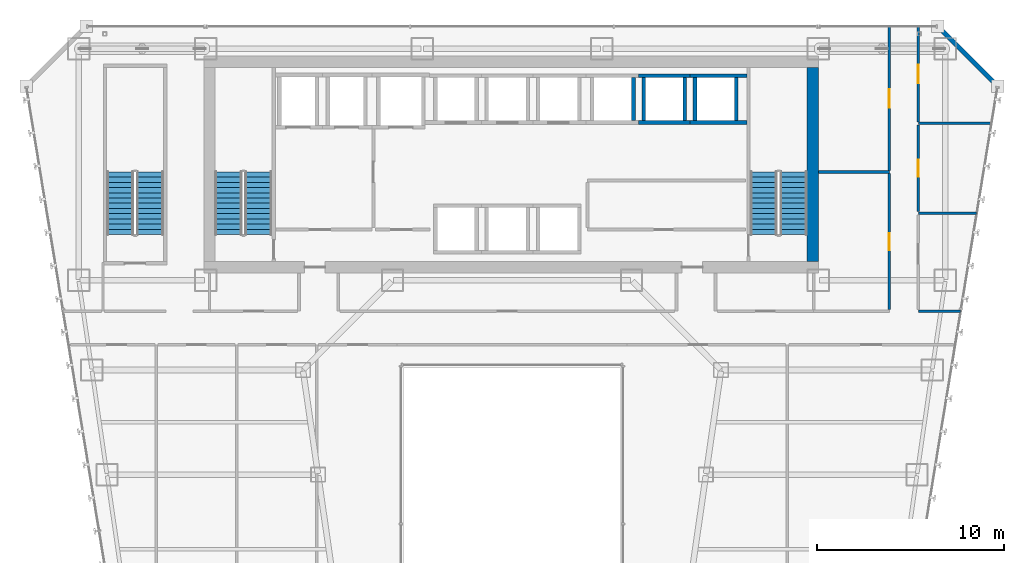
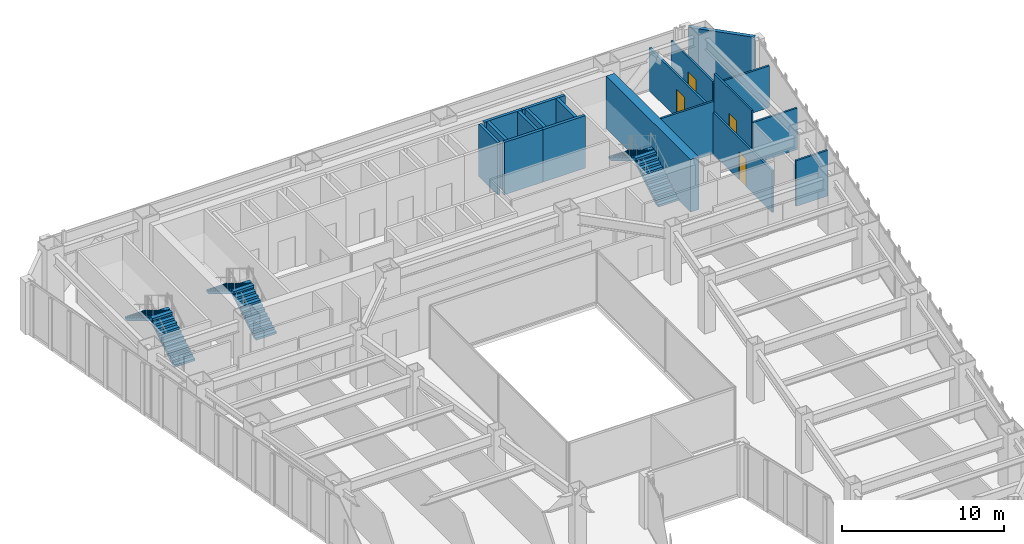
# One storey, part 38 of 47: 19 walls, 6 stair flights, 4 doors, 4 openings, 3 elements without a shape of their own.
"""IFC4 building model written with IfcOpenShell, lengths in metres."""

from ifc_helpers import new_model, si_unit, direction, frame, frame_2d, origin, place, context, subcontext, project, spatial, polyline, rectangle, outline, extrude, material, layer, layer_set, type_object, element, fill, aggregate, save


model = new_model("IFC4")

# Units and contexts
model_context = context("Model", 3, precision=1e-05, world=origin(), true_north=direction((0.0, 1.0)))
body_context = subcontext(model_context, "Body", "Model", "MODEL_VIEW")
ifc_project = project(units=[si_unit("LENGTHUNIT", "METRE"), si_unit("AREAUNIT", "SQUARE_METRE"), si_unit("VOLUMEUNIT", "CUBIC_METRE"), si_unit("PLANEANGLEUNIT", "RADIAN"), si_unit("MASSUNIT", "GRAM", prefix="KILO")], contexts=[model_context])

# Site, building, storey
site_placement = place(None, origin())
site = spatial("IfcSite", under=ifc_project, at=site_placement, CompositionType="ELEMENT")
building_placement = place(site_placement, origin())
building = spatial("IfcBuilding", under=site, at=building_placement, Name="Saevonmaru Cultural Tower", CompositionType="ELEMENT")
storey_placement = place(building_placement, frame((0.0, 0.0, 82.39990234375)))
storey = spatial("IfcBuildingStorey", under=building, at=storey_placement, Name="L17", CompositionType="ELEMENT", Elevation=82.39990234375)

# Walls
ifc_material_1 = material(Name="Concrete C60/75", Category="concrete")
ifc_layer_1 = layer(ifc_material_1, 0.60009765625, Name="Concrete C60/75")
ifc_layer_set_1 = layer_set([ifc_layer_1], Name="Concrete C60/75")
wall_type_1 = type_object("IfcWallType", Name="WL-CORE-600", PredefinedType="SHEAR", material=ifc_layer_set_1)
wall_1_placement = place(storey_placement, frame((46.10009765625, 43.39990234375, 0.0), z_axis=(0.0, 0.0, 1.0), x_axis=(0.0, 1.0, 0.0)))
element("IfcWall", 1, at=wall_1_placement, inside=storey, type_object=wall_type_1, Name="L17 Tower RC core shear wall E", PredefinedType="SHEAR", context=body_context, shape_type="SweptSolid", body=[
    extrude(rectangle(XDim=10.400146484375, YDim=0.60009765625, at=frame_2d((5.2001953125, 0.0))), origin(), (0.0, 0.0, 1.0), 3.9501953125),
])
ifc_material_2 = material(Name="Granite-Clad Precast Concrete C40/50", Category="masonry")
ifc_layer_2 = layer(ifc_material_2, 0.260009765625, Name="Granite-Clad Precast Concrete C40/50")
ifc_layer_set_2 = layer_set([ifc_layer_2], Name="Granite-Clad Precast Concrete C40/50")
wall_type_2 = type_object("IfcWallType", Name="WL-EXT-SPANDREL-260", PredefinedType="STANDARD", material=ifc_layer_set_2)
wall_2_placement = place(storey_placement, frame((55.886962890625, 52.9130859375, 0.0), z_axis=(0.0, 0.0, 1.0), x_axis=(-0.707106781187, 0.707106781187, 0.0)))
element("IfcWall", 2, at=wall_2_placement, inside=storey, type_object=wall_type_2, Name="L17 Chamfer Corner Spandrel Wall E9", PredefinedType="STANDARD", context=body_context, shape_type="SweptSolid", body=[
    extrude(rectangle(XDim=4.205810546875, YDim=0.260009765625, at=frame_2d((2.10302734375, 0.0))), origin(), (0.0, 0.0, 1.0), 3.9501953125),
])

# Wall, opening, door
ifc_material_3 = material(Name="Gypsum Fireboard Partition", Category="gypsum")
ifc_layer_3 = layer(ifc_material_3, 0.14990234375, Name="Gypsum Fireboard Partition")
ifc_layer_set_3 = layer_set([ifc_layer_3], Name="Gypsum Fireboard Partition")
wall_type_3 = type_object("IfcWallType", Name="WL-PART-FIRE-150", PredefinedType="PARTITIONING", material=ifc_layer_set_3)
wall_3_placement = place(storey_placement, frame((50.199951171875, 48.2900390625, 0.0), z_axis=(0.0, 0.0, 1.0), x_axis=(0.0, 1.0, 0.0)))
wall_3 = element("IfcWall", 3, at=wall_3_placement, inside=storey, type_object=wall_type_3, Name="L17 Chamber Rehearsal Auditorium Corridor Wall", PredefinedType="PARTITIONING", context=body_context, shape_type="SweptSolid", body=[
    extrude(rectangle(XDim=7.705078125, YDim=0.14990234375, at=frame_2d((3.8525390625, 0.0))), origin(), (0.0, 0.0, 1.0), 3.235107421875),
])
opening_1_placement = place(wall_3_placement, frame((3.35205078125, 0.0, 0.0)))
opening_1 = element("IfcOpeningElement", 4, at=opening_1_placement, cuts=wall_3, Name="Opening ID-1B", PredefinedType="OPENING", context=body_context, shape_type="SweptSolid", body=[
    extrude(rectangle(XDim=1.0, YDim=2.14990234375, at=frame_2d((0.5, 1.074951171875))), frame((0.0, 0.0849609375, 0.0), z_axis=(0.0, -1.0, 0.0), x_axis=(1.0, 0.0, 0.0)), (0.0, 0.0, 1.0), 0.169921875),
])
ifc_material_4 = material(Name="Acoustic Stained Oak Timber", Category="wood")
door_type_1 = type_object("IfcDoorType", Name="DR-INT-1000", OperationType="SINGLE_SWING_RIGHT", PredefinedType="DOOR", material=ifc_material_4)
door_1_placement = place(opening_1_placement, origin())
door_1 = element("IfcDoor", 5, at=door_1_placement, inside=storey, type_object=door_type_1, Name="L17 Chamber Rehearsal Auditorium Door", OperationType="SINGLE_SWING_LEFT", OverallHeight=2.14990234375, OverallWidth=1.0, PredefinedType="DOOR", context=body_context, shape_type="SweptSolid", body=[
    extrude(rectangle(XDim=1.0, YDim=2.14990234375, at=frame_2d((0.5, 1.074951171875))), frame((0.0, 0.02490234375, 0.0), z_axis=(0.0, -1.0, 0.0), x_axis=(1.0, 0.0, 0.0)), (0.0, 0.0, 1.0), 0.050048828125),
])
fill(opening_1, door_1)

ifc_layer_4 = layer(ifc_material_3, 0.1201171875, Name="Gypsum Fireboard Partition")
ifc_layer_set_4 = layer_set([ifc_layer_4], Name="Gypsum Fireboard Partition")
wall_type_4 = type_object("IfcWallType", Name="WL-PART-GYP-120", PredefinedType="PARTITIONING", material=ifc_layer_set_4)
wall_4_placement = place(storey_placement, frame((51.75, 46.08740234375, 0.0), z_axis=(0.0, 0.0, 1.0), x_axis=(0.0, 1.0, 0.0)))
wall_4 = element("IfcWall", 6, at=wall_4_placement, inside=storey, type_object=wall_type_4, Name="L17 Architecture Residency Office Corridor Wall", PredefinedType="PARTITIONING", context=body_context, shape_type="SweptSolid", body=[
    extrude(rectangle(XDim=4.625, YDim=0.1201171875, at=frame_2d((2.3125, 0.0))), origin(), (0.0, 0.0, 1.0), 3.9501953125),
])
opening_2_placement = place(wall_4_placement, frame((1.863037109375, 0.0, 0.0)))
opening_2 = element("IfcOpeningElement", 7, at=opening_2_placement, cuts=wall_4, Name="Opening ID-2", PredefinedType="OPENING", context=body_context, shape_type="SweptSolid", body=[
    extrude(rectangle(XDim=0.89990234375, YDim=2.10009765625, at=frame_2d((0.449951171875, 1.050048828125))), frame((0.0, 0.070068359375, 0.0), z_axis=(0.0, -1.0, 0.0), x_axis=(1.0, 0.0, 0.0)), (0.0, 0.0, 1.0), 0.14013671875),
])
door_type_2 = type_object("IfcDoorType", Name="DR-INT-900", OperationType="SINGLE_SWING_RIGHT", PredefinedType="DOOR", material=ifc_material_4)
door_2_placement = place(opening_2_placement, origin())
door_2 = element("IfcDoor", 8, at=door_2_placement, inside=storey, type_object=door_type_2, Name="L17 Architecture Residency Office Door", OperationType="SINGLE_SWING_LEFT", OverallHeight=2.10009765625, OverallWidth=0.89990234375, PredefinedType="DOOR", context=body_context, shape_type="SweptSolid", body=[
    extrude(rectangle(XDim=0.89990234375, YDim=2.10009765625, at=frame_2d((0.449951171875, 1.050048828125))), frame((0.0, 0.02490234375, 0.0), z_axis=(0.0, -1.0, 0.0), x_axis=(1.0, 0.0, 0.0)), (0.0, 0.0, 1.0), 0.050048828125),
])
fill(opening_2, door_2)

wall_5_placement = place(storey_placement, frame((51.75, 50.887451171875, 0.0), z_axis=(0.0, 0.0, 1.0), x_axis=(0.0, 1.0, 0.0)))
wall_5 = element("IfcWall", 9, at=wall_5_placement, inside=storey, type_object=wall_type_4, Name="L17 Botanical Tea Bistro Corridor Wall", PredefinedType="PARTITIONING", context=body_context, shape_type="SweptSolid", body=[
    extrude(rectangle(XDim=5.107666015625, YDim=0.1201171875, at=frame_2d((2.5537109375, 0.0))), origin(), (0.0, 0.0, 1.0), 3.235107421875),
])
opening_3_placement = place(wall_5_placement, frame((2.053955078125, 0.0, 0.0)))
opening_3 = element("IfcOpeningElement", 10, at=opening_3_placement, cuts=wall_5, Name="Opening ID-1B", PredefinedType="OPENING", context=body_context, shape_type="SweptSolid", body=[
    extrude(rectangle(XDim=1.0, YDim=2.14990234375, at=frame_2d((0.5, 1.074951171875))), frame((0.0, 0.070068359375, 0.0), z_axis=(0.0, -1.0, 0.0), x_axis=(1.0, 0.0, 0.0)), (0.0, 0.0, 1.0), 0.14013671875),
])
door_3_placement = place(opening_3_placement, origin())
door_3 = element("IfcDoor", 11, at=door_3_placement, inside=storey, type_object=door_type_1, Name="L17 Botanical Tea Bistro Door", OperationType="SINGLE_SWING_RIGHT", OverallHeight=2.14990234375, OverallWidth=1.0, PredefinedType="DOOR", context=body_context, shape_type="SweptSolid", body=[
    extrude(rectangle(XDim=1.0, YDim=2.14990234375, at=frame_2d((0.5, 1.074951171875))), frame((0.0, 0.02490234375, 0.0), z_axis=(0.0, -1.0, 0.0), x_axis=(1.0, 0.0, 0.0)), (0.0, 0.0, 1.0), 0.050048828125),
])
fill(opening_3, door_3)

# Walls
ifc_layer_5 = layer(ifc_material_3, 0.135009765625, Name="Gypsum Fireboard Partition")
ifc_layer_set_5 = layer_set([ifc_layer_5], Name="Gypsum Fireboard Partition")
wall_type_5 = type_object("IfcWallType", Name="WL-PART-GYP-135", PredefinedType="PARTITIONING", material=ifc_layer_set_5)
wall_6_placement = place(storey_placement, frame((51.75, 40.75, 0.0), z_axis=(0.0, 0.0, 1.0), x_axis=(1.0, 0.0, 0.0)))
element("IfcWall", 12, at=wall_6_placement, inside=storey, type_object=wall_type_5, Name="L17 NE Wing South Wall", PredefinedType="PARTITIONING", context=body_context, shape_type="SweptSolid", body=[
    extrude(rectangle(XDim=2.2705078125, YDim=0.135009765625, at=frame_2d((1.13525390625, 0.0))), origin(), (0.0, 0.0, 1.0), 3.43505859375),
])
wall_7_placement = place(storey_placement, frame((51.75, 46.0, 0.0), z_axis=(0.0, 0.0, 1.0), x_axis=(1.0, 0.0, 0.0)))
element("IfcWall", 13, at=wall_7_placement, inside=storey, type_object=wall_type_5, Name="L17 NE Studio Divider 1", PredefinedType="PARTITIONING", context=body_context, shape_type="SweptSolid", body=[
    extrude(rectangle(XDim=3.130615234375, YDim=0.135009765625, at=frame_2d((1.5654296875, 0.0))), origin(), (0.0, 0.0, 1.0), 3.135009765625),
])
wall_8_placement = place(storey_placement, frame((51.75, 50.800048828125, 0.0), z_axis=(0.0, 0.0, 1.0), x_axis=(1.0, 0.0, 0.0)))
element("IfcWall", 14, at=wall_8_placement, inside=storey, type_object=wall_type_5, Name="L17 NE Studio Divider 2", PredefinedType="PARTITIONING", context=body_context, shape_type="SweptSolid", body=[
    extrude(rectangle(XDim=3.917236328125, YDim=0.135009765625, at=frame_2d((1.95849609375, 0.0))), origin(), (0.0, 0.0, 1.0), 3.135009765625),
])
ifc_layer_6 = layer(ifc_material_3, 0.139892578125, Name="Gypsum Fireboard Partition")
ifc_layer_set_6 = layer_set([ifc_layer_6], Name="Gypsum Fireboard Partition")
wall_type_6 = type_object("IfcWallType", Name="WL-PART-WET-140", PredefinedType="PARTITIONING", material=ifc_layer_set_6)
wall_9_placement = place(storey_placement, frame((46.419921875, 48.199951171875, 0.0), z_axis=(0.0, 0.0, 1.0), x_axis=(1.0, 0.0, 0.0)))
element("IfcWall", 15, at=wall_9_placement, inside=storey, type_object=wall_type_6, Name="L17 Washroom North Wall", PredefinedType="PARTITIONING", context=body_context, shape_type="SweptSolid", body=[
    extrude(rectangle(XDim=3.780029296875, YDim=0.139892578125, at=frame_2d((1.89013671875, 0.0))), origin(), (0.0, 0.0, 1.0), 3.9501953125),
])

# Wall, opening, door
wall_10_placement = place(storey_placement, frame((50.199951171875, 40.840087890625, 0.0), z_axis=(0.0, 0.0, 1.0), x_axis=(0.0, 1.0, 0.0)))
wall_10 = element("IfcWall", 16, at=wall_10_placement, inside=storey, type_object=wall_type_6, Name="L17 Washroom Corridor Wall", PredefinedType="PARTITIONING", context=body_context, shape_type="SweptSolid", body=[
    extrude(rectangle(XDim=7.27001953125, YDim=0.139892578125, at=frame_2d((3.635009765625, 0.0))), origin(), (0.0, 0.0, 1.0), 3.135009765625),
])
opening_4_placement = place(wall_10_placement, frame((3.18505859375, 0.0, 0.0)))
opening_4 = element("IfcOpeningElement", 17, at=opening_4_placement, cuts=wall_10, Name="Opening ID-2", PredefinedType="OPENING", context=body_context, shape_type="SweptSolid", body=[
    extrude(rectangle(XDim=0.89990234375, YDim=2.10009765625, at=frame_2d((0.449951171875, 1.050048828125))), frame((0.0, 0.080078125, 0.0), z_axis=(0.0, -1.0, 0.0), x_axis=(1.0, 0.0, 0.0)), (0.0, 0.0, 1.0), 0.159912109375),
])
door_4_placement = place(opening_4_placement, origin())
door_4 = element("IfcDoor", 18, at=door_4_placement, inside=storey, type_object=door_type_2, Name="L17 Public Accessible Washrooms Door", OperationType="SINGLE_SWING_RIGHT", OverallHeight=2.10009765625, OverallWidth=0.89990234375, PredefinedType="DOOR", context=body_context, shape_type="SweptSolid", body=[
    extrude(rectangle(XDim=0.89990234375, YDim=2.10009765625, at=frame_2d((0.449951171875, 1.050048828125))), frame((0.0, 0.02490234375, 0.0), z_axis=(0.0, -1.0, 0.0), x_axis=(1.0, 0.0, 0.0)), (0.0, 0.0, 1.0), 0.050048828125),
])
fill(opening_4, door_4)

# Walls
ifc_material_5 = material(Name="Concrete C40/50", Category="concrete")
ifc_layer_7 = layer(ifc_material_5, 0.199951171875, Name="Concrete C40/50")
ifc_layer_set_7 = layer_set([ifc_layer_7], Name="Concrete C40/50")
wall_type_7 = type_object("IfcWallType", Name="WL-SHAFT-200", PredefinedType="SHEAR", material=ifc_layer_set_7)
wall_11_placement = place(storey_placement, frame((36.5, 50.949951171875, 0.0), z_axis=(0.0, 0.0, 1.0), x_axis=(0.0, 1.0, 0.0)))
element("IfcWall", 19, at=wall_11_placement, inside=storey, type_object=wall_type_7, Name="L17 Lift PL-H1 Hoistway Wall E", PredefinedType="SHEAR", context=body_context, shape_type="SweptSolid", body=[
    extrude(rectangle(XDim=2.300048828125, YDim=0.199951171875, at=frame_2d((1.14990234375, 0.0))), origin(), (0.0, 0.0, 1.0), 3.9501953125),
])
for number, where, z_axis, x_axis, name in (
    (20, (36.77490234375, 50.85009765625, 0.0), (0.0, 0.0, 1.0), (1.0, 0.0, 0.0), "L17 Lift PL-H2 Hoistway Wall S"),
    (21, (36.77490234375, 53.35009765625, 0.0), (0.0, 0.0, 1.0), (1.0, 0.0, 0.0), "L17 Lift PL-H2 Hoistway Wall N"),
):
    element("IfcWall", number, at=place(storey_placement, frame(where, z_axis=z_axis, x_axis=x_axis)), inside=storey, type_object=wall_type_7, Name=name, PredefinedType="SHEAR", context=body_context, shape_type="SweptSolid", body=[
        extrude(rectangle(XDim=2.75, YDim=0.199951171875, at=frame_2d((1.375, 0.0))), origin(), (0.0, 0.0, 1.0), 3.9501953125),
    ])
for number, where, z_axis, x_axis, name in (
    (22, (37.050048828125, 50.949951171875, 0.0), (0.0, 0.0, 1.0), (0.0, 1.0, 0.0), "L17 Lift PL-H2 Hoistway Wall W"),
    (23, (39.25, 50.949951171875, 0.0), (0.0, 0.0, 1.0), (0.0, 1.0, 0.0), "L17 Lift PL-H2 Hoistway Wall E"),
):
    element("IfcWall", number, at=place(storey_placement, frame(where, z_axis=z_axis, x_axis=x_axis)), inside=storey, type_object=wall_type_7, Name=name, PredefinedType="SHEAR", context=body_context, shape_type="SweptSolid", body=[
        extrude(rectangle(XDim=2.300048828125, YDim=0.199951171875, at=frame_2d((1.14990234375, 0.0))), origin(), (0.0, 0.0, 1.0), 3.9501953125),
    ])
for number, where, z_axis, x_axis, name in (
    (24, (39.52490234375, 50.85009765625, 0.0), (0.0, 0.0, 1.0), (1.0, 0.0, 0.0), "L17 Lift PL-H3 Hoistway Wall S"),
    (25, (39.52490234375, 53.35009765625, 0.0), (0.0, 0.0, 1.0), (1.0, 0.0, 0.0), "L17 Lift PL-H3 Hoistway Wall N"),
):
    element("IfcWall", number, at=place(storey_placement, frame(where, z_axis=z_axis, x_axis=x_axis)), inside=storey, type_object=wall_type_7, Name=name, PredefinedType="SHEAR", context=body_context, shape_type="SweptSolid", body=[
        extrude(rectangle(XDim=3.045166015625, YDim=0.199951171875, at=frame_2d((1.5224609375, 0.0))), origin(), (0.0, 0.0, 1.0), 3.9501953125),
    ])
for number, where, z_axis, x_axis, name in (
    (26, (39.800048828125, 50.949951171875, 0.0), (0.0, 0.0, 1.0), (0.0, 1.0, 0.0), "L17 Lift PL-H3 Hoistway Wall W"),
    (27, (42.0, 50.949951171875, 0.0), (0.0, 0.0, 1.0), (0.0, 1.0, 0.0), "L17 Lift PL-H3 Hoistway Wall E"),
):
    element("IfcWall", number, at=place(storey_placement, frame(where, z_axis=z_axis, x_axis=x_axis)), inside=storey, type_object=wall_type_7, Name=name, PredefinedType="SHEAR", context=body_context, shape_type="SweptSolid", body=[
        extrude(rectangle(XDim=2.300048828125, YDim=0.199951171875, at=frame_2d((1.14990234375, 0.0))), origin(), (0.0, 0.0, 1.0), 3.9501953125),
    ])

# Stair, stair flights
stair_type = type_object("IfcStairType", Name="STR-DOGLEG-RC", PredefinedType="HALF_TURN_STAIR", material=ifc_material_5)
stair_1_placement = place(storey_placement, origin())
stair_1 = element("IfcStair", 28, at=stair_1_placement, inside=storey, type_object=stair_type, Name="L17 Protected exit stair ST-1", PredefinedType="HALF_TURN_STAIR")
ifc_material_6 = material(Name="Precast concrete C40/50", Category="concrete")
stair_flight_type = type_object("IfcStairFlightType", Name="STF-PRECAST-180", PredefinedType="STRAIGHT", material=ifc_material_6)
stair_flight_1_placement = place(storey_placement, frame((16.425048828125, 44.85009765625, 0.0), z_axis=(0.0, 0.0, 1.0), x_axis=(0.0, 1.0, 0.0)))
stair_flight_1 = element("IfcStairFlight", 29, at=stair_flight_1_placement, type_object=stair_flight_type, Name="ST-1-L17 flight 1", NumberOfRisers=13, NumberOfTreads=12, PredefinedType="STRAIGHT", RiserHeight=0.169230769, TreadLength=0.28, context=body_context, shape_type="SweptSolid", body=[
    extrude(outline(polyline([(0.0, 0.0), (0.0, 0.169189453125), (0.280029296875, 0.169189453125), (0.280029296875, 0.33837890625), (0.56005859375, 0.33837890625), (0.56005859375, 0.5078125), (0.840087890625, 0.5078125), (0.840087890625, 0.677001953125), (1.1201171875, 0.677001953125), (1.1201171875, 0.84619140625), (1.39990234375, 0.84619140625), (1.39990234375, 1.015380859375), (1.679931640625, 1.015380859375), (1.679931640625, 1.1845703125), (1.9599609375, 1.1845703125), (1.9599609375, 1.353759765625), (2.239990234375, 1.353759765625), (2.239990234375, 1.523193359375), (2.52001953125, 1.523193359375), (2.52001953125, 1.6923828125), (2.800048828125, 1.6923828125), (2.800048828125, 1.861572265625), (3.080078125, 1.861572265625), (3.080078125, 2.03076171875), (3.360107421875, 2.03076171875), (3.360107421875, 2.199951171875), (3.360107421875, 1.855712890625), (0.289794921875, 0.0), (0.0, 0.0)])), frame((0.0, 0.72509765625, 0.0), z_axis=(0.0, -1.0, 0.0), x_axis=(1.0, 0.0, 0.0)), (0.0, 0.0, 1.0), 1.449951171875),
])
stair_flight_2_placement = place(storey_placement, frame((14.824951171875, 48.2099609375, 2.2001953125), z_axis=(0.0, 0.0, 1.0), x_axis=(0.0, -1.0, 0.0)))
stair_flight_2 = element("IfcStairFlight", 30, at=stair_flight_2_placement, type_object=stair_flight_type, Name="ST-1-L17 flight 2", NumberOfRisers=13, NumberOfTreads=12, PredefinedType="STRAIGHT", RiserHeight=0.169230769, TreadLength=0.28, context=body_context, shape_type="SweptSolid", body=[
    extrude(outline(polyline([(0.0, 0.0), (0.0, 0.169189453125), (0.280029296875, 0.169189453125), (0.280029296875, 0.33837890625), (0.56005859375, 0.33837890625), (0.56005859375, 0.5078125), (0.840087890625, 0.5078125), (0.840087890625, 0.677001953125), (1.1201171875, 0.677001953125), (1.1201171875, 0.84619140625), (1.39990234375, 0.84619140625), (1.39990234375, 1.015380859375), (1.679931640625, 1.015380859375), (1.679931640625, 1.1845703125), (1.9599609375, 1.1845703125), (1.9599609375, 1.353759765625), (2.239990234375, 1.353759765625), (2.239990234375, 1.523193359375), (2.52001953125, 1.523193359375), (2.52001953125, 1.6923828125), (2.800048828125, 1.6923828125), (2.800048828125, 1.861572265625), (3.080078125, 1.861572265625), (3.080078125, 2.03076171875), (3.360107421875, 2.03076171875), (3.360107421875, 2.199951171875), (3.360107421875, 1.855712890625), (0.289794921875, 0.0), (0.0, 0.0)])), frame((0.0, 0.72509765625, 0.0), z_axis=(0.0, -1.0, 0.0), x_axis=(1.0, 0.0, 0.0)), (0.0, 0.0, 1.0), 1.449951171875),
])
aggregate(stair_1, [stair_flight_1, stair_flight_2])

stair_2_placement = place(storey_placement, origin())
stair_2 = element("IfcStair", 31, at=stair_2_placement, inside=storey, type_object=stair_type, Name="L17 Protected exit stair ST-2", PredefinedType="HALF_TURN_STAIR")
stair_flight_3_placement = place(storey_placement, frame((45.074951171875, 44.85009765625, 0.0), z_axis=(0.0, 0.0, 1.0), x_axis=(0.0, 1.0, 0.0)))
stair_flight_3 = element("IfcStairFlight", 32, at=stair_flight_3_placement, type_object=stair_flight_type, Name="ST-2-L17 flight 1", NumberOfRisers=13, NumberOfTreads=12, PredefinedType="STRAIGHT", RiserHeight=0.169230769, TreadLength=0.28, context=body_context, shape_type="SweptSolid", body=[
    extrude(outline(polyline([(0.0, 0.0), (0.0, 0.169189453125), (0.280029296875, 0.169189453125), (0.280029296875, 0.33837890625), (0.56005859375, 0.33837890625), (0.56005859375, 0.5078125), (0.840087890625, 0.5078125), (0.840087890625, 0.677001953125), (1.1201171875, 0.677001953125), (1.1201171875, 0.84619140625), (1.39990234375, 0.84619140625), (1.39990234375, 1.015380859375), (1.679931640625, 1.015380859375), (1.679931640625, 1.1845703125), (1.9599609375, 1.1845703125), (1.9599609375, 1.353759765625), (2.239990234375, 1.353759765625), (2.239990234375, 1.523193359375), (2.52001953125, 1.523193359375), (2.52001953125, 1.6923828125), (2.800048828125, 1.6923828125), (2.800048828125, 1.861572265625), (3.080078125, 1.861572265625), (3.080078125, 2.03076171875), (3.360107421875, 2.03076171875), (3.360107421875, 2.199951171875), (3.360107421875, 1.855712890625), (0.289794921875, 0.0), (0.0, 0.0)])), frame((0.0, 0.72509765625, 0.0), z_axis=(0.0, -1.0, 0.0), x_axis=(1.0, 0.0, 0.0)), (0.0, 0.0, 1.0), 1.449951171875),
])
stair_flight_4_placement = place(storey_placement, frame((43.47509765625, 48.2099609375, 2.2001953125), z_axis=(0.0, 0.0, 1.0), x_axis=(0.0, -1.0, 0.0)))
stair_flight_4 = element("IfcStairFlight", 33, at=stair_flight_4_placement, type_object=stair_flight_type, Name="ST-2-L17 flight 2", NumberOfRisers=13, NumberOfTreads=12, PredefinedType="STRAIGHT", RiserHeight=0.169230769, TreadLength=0.28, context=body_context, shape_type="SweptSolid", body=[
    extrude(outline(polyline([(0.0, 0.0), (0.0, 0.169189453125), (0.280029296875, 0.169189453125), (0.280029296875, 0.33837890625), (0.56005859375, 0.33837890625), (0.56005859375, 0.5078125), (0.840087890625, 0.5078125), (0.840087890625, 0.677001953125), (1.1201171875, 0.677001953125), (1.1201171875, 0.84619140625), (1.39990234375, 0.84619140625), (1.39990234375, 1.015380859375), (1.679931640625, 1.015380859375), (1.679931640625, 1.1845703125), (1.9599609375, 1.1845703125), (1.9599609375, 1.353759765625), (2.239990234375, 1.353759765625), (2.239990234375, 1.523193359375), (2.52001953125, 1.523193359375), (2.52001953125, 1.6923828125), (2.800048828125, 1.6923828125), (2.800048828125, 1.861572265625), (3.080078125, 1.861572265625), (3.080078125, 2.03076171875), (3.360107421875, 2.03076171875), (3.360107421875, 2.199951171875), (3.360107421875, 1.855712890625), (0.289794921875, 0.0), (0.0, 0.0)])), frame((0.0, 0.72509765625, 0.0), z_axis=(0.0, -1.0, 0.0), x_axis=(1.0, 0.0, 0.0)), (0.0, 0.0, 1.0), 1.449951171875),
])
aggregate(stair_2, [stair_flight_3, stair_flight_4])

stair_3_placement = place(storey_placement, origin())
stair_3 = element("IfcStair", 34, at=stair_3_placement, inside=storey, type_object=stair_type, Name="L17 Protected exit stair ST-3", PredefinedType="HALF_TURN_STAIR")
stair_flight_5_placement = place(storey_placement, frame((10.625, 44.85009765625, 0.0), z_axis=(0.0, 0.0, 1.0), x_axis=(0.0, 1.0, 0.0)))
stair_flight_5 = element("IfcStairFlight", 35, at=stair_flight_5_placement, type_object=stair_flight_type, Name="ST-3-L17 flight 1", NumberOfRisers=13, NumberOfTreads=12, PredefinedType="STRAIGHT", RiserHeight=0.169230769, TreadLength=0.28, context=body_context, shape_type="SweptSolid", body=[
    extrude(outline(polyline([(0.0, 0.0), (0.0, 0.169189453125), (0.280029296875, 0.169189453125), (0.280029296875, 0.33837890625), (0.56005859375, 0.33837890625), (0.56005859375, 0.5078125), (0.840087890625, 0.5078125), (0.840087890625, 0.677001953125), (1.1201171875, 0.677001953125), (1.1201171875, 0.84619140625), (1.39990234375, 0.84619140625), (1.39990234375, 1.015380859375), (1.679931640625, 1.015380859375), (1.679931640625, 1.1845703125), (1.9599609375, 1.1845703125), (1.9599609375, 1.353759765625), (2.239990234375, 1.353759765625), (2.239990234375, 1.523193359375), (2.52001953125, 1.523193359375), (2.52001953125, 1.6923828125), (2.800048828125, 1.6923828125), (2.800048828125, 1.861572265625), (3.080078125, 1.861572265625), (3.080078125, 2.03076171875), (3.360107421875, 2.03076171875), (3.360107421875, 2.199951171875), (3.360107421875, 1.855712890625), (0.289794921875, 0.0), (0.0, 0.0)])), frame((0.0, 0.72509765625, 0.0), z_axis=(0.0, -1.0, 0.0), x_axis=(1.0, 0.0, 0.0)), (0.0, 0.0, 1.0), 1.449951171875),
])
stair_flight_6_placement = place(storey_placement, frame((9.02490234375, 48.2099609375, 2.2001953125), z_axis=(0.0, 0.0, 1.0), x_axis=(0.0, -1.0, 0.0)))
stair_flight_6 = element("IfcStairFlight", 36, at=stair_flight_6_placement, type_object=stair_flight_type, Name="ST-3-L17 flight 2", NumberOfRisers=13, NumberOfTreads=12, PredefinedType="STRAIGHT", RiserHeight=0.169230769, TreadLength=0.28, context=body_context, shape_type="SweptSolid", body=[
    extrude(outline(polyline([(0.0, 0.0), (0.0, 0.169189453125), (0.280029296875, 0.169189453125), (0.280029296875, 0.33837890625), (0.56005859375, 0.33837890625), (0.56005859375, 0.5078125), (0.840087890625, 0.5078125), (0.840087890625, 0.677001953125), (1.1201171875, 0.677001953125), (1.1201171875, 0.84619140625), (1.39990234375, 0.84619140625), (1.39990234375, 1.015380859375), (1.679931640625, 1.015380859375), (1.679931640625, 1.1845703125), (1.9599609375, 1.1845703125), (1.9599609375, 1.353759765625), (2.239990234375, 1.353759765625), (2.239990234375, 1.523193359375), (2.52001953125, 1.523193359375), (2.52001953125, 1.6923828125), (2.800048828125, 1.6923828125), (2.800048828125, 1.861572265625), (3.080078125, 1.861572265625), (3.080078125, 2.03076171875), (3.360107421875, 2.03076171875), (3.360107421875, 2.199951171875), (3.360107421875, 1.855712890625), (0.289794921875, 0.0), (0.0, 0.0)])), frame((0.0, 0.72509765625, 0.0), z_axis=(0.0, -1.0, 0.0), x_axis=(1.0, 0.0, 0.0)), (0.0, 0.0, 1.0), 1.449951171875),
])
aggregate(stair_3, [stair_flight_5, stair_flight_6])

save(model, "model.ifc")
